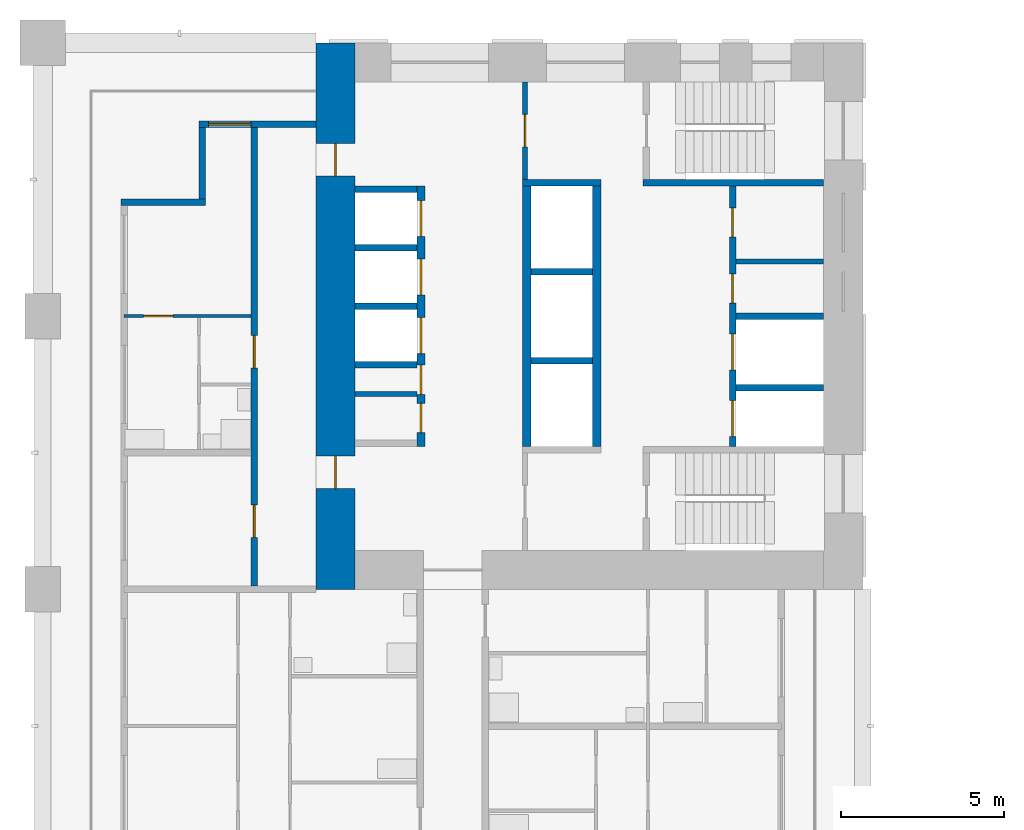
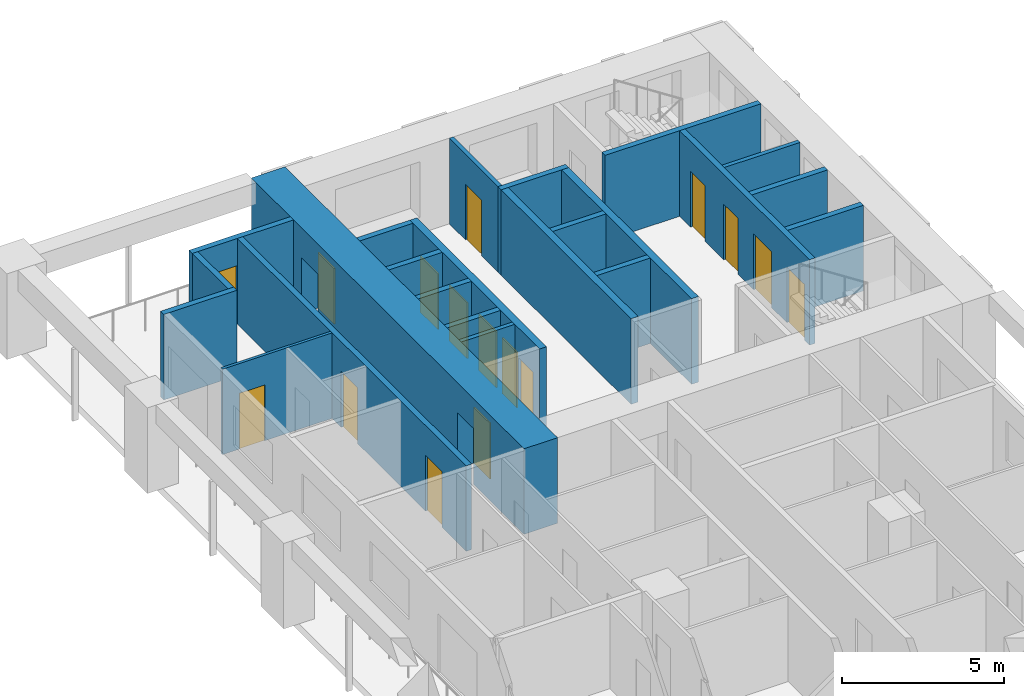
# One storey, part 9 of 19: 23 walls, 16 doors, 16 openings.
"""IFC4 building model written with IfcOpenShell, lengths in metres."""

from ifc_helpers import new_model, si_unit, direction, frame, frame_2d, origin, place, context, subcontext, project, spatial, rectangle, extrude, material, layer, layer_set, type_object, element, fill, save


model = new_model("IFC4")

# Units and contexts
model_context = context("Model", 3, precision=1e-05, world=origin(), true_north=direction((0.0, 1.0)))
body_context = subcontext(model_context, "Body", "Model", "MODEL_VIEW")
ifc_project = project(units=[si_unit("LENGTHUNIT", "METRE"), si_unit("AREAUNIT", "SQUARE_METRE"), si_unit("VOLUMEUNIT", "CUBIC_METRE"), si_unit("PLANEANGLEUNIT", "RADIAN"), si_unit("MASSUNIT", "GRAM", prefix="KILO")], contexts=[model_context])

# Site, building, storey
site_placement = place(None, origin())
site = spatial("IfcSite", under=ifc_project, at=site_placement, CompositionType="ELEMENT")
building_placement = place(site_placement, origin())
building = spatial("IfcBuilding", under=site, at=building_placement, Name="Vermilion Gate Residences", CompositionType="ELEMENT")
storey_placement = place(building_placement, frame((0.0, 0.0, 49.699951171875)))
storey = spatial("IfcBuildingStorey", under=building, at=storey_placement, Name="L11", CompositionType="ELEMENT", Elevation=49.699951171875)

# Walls
ifc_material_1 = material(Name="Masonry blockwork", Category="masonry")
ifc_layer_1 = layer(ifc_material_1, 0.14990234375)
ifc_layer_set_1 = layer_set([ifc_layer_1], Name="BLOCKWORK PARTITION 150 EI 120")
wall_type_1 = type_object("IfcWallType", Name="BLOCKWORK PARTITION 150 EI 120", PredefinedType="PARTITIONING", material=ifc_layer_set_1)
wall_1_placement = place(storey_placement, frame((9.60009765625, 48.007568359375, 0.0), z_axis=(0.0, 0.0, 1.0), x_axis=(1.0, 0.0, 0.0)))
element("IfcWall", 1, at=wall_1_placement, inside=storey, type_object=wall_type_1, Name="Core room partition B11-SR-P0", PredefinedType="PARTITIONING", context=body_context, shape_type="SweptSolid", body=[
    extrude(rectangle(XDim=1.89990234375, YDim=0.14990234375, at=frame_2d((0.949951171875, 0.0))), origin(), (0.0, 0.0, 1.0), 3.219970703125),
])
wall_2_placement = place(storey_placement, frame((21.300048828125, 52.074951171875, 0.0), z_axis=(0.0, 0.0, 1.0), x_axis=(1.0, 0.0, 0.0)))
element("IfcWall", 2, at=wall_2_placement, inside=storey, type_object=wall_type_1, Name="Core room partition B11-NR-P0", PredefinedType="PARTITIONING", context=body_context, shape_type="SweptSolid", body=[
    extrude(rectangle(XDim=2.699951171875, YDim=0.14990234375, at=frame_2d((1.35009765625, 0.0))), origin(), (0.0, 0.0, 1.0), 3.219970703125),
])

# Wall, opening, door
wall_3_placement = place(storey_placement, frame((14.824951171875, 57.60009765625, 0.0), z_axis=(0.0, 0.0, 1.0), x_axis=(0.0, -1.0, 0.0)))
wall_3 = element("IfcWall", 3, at=wall_3_placement, inside=storey, type_object=wall_type_1, Name="Core room partition B11-VW-S", PredefinedType="PARTITIONING", context=body_context, shape_type="SweptSolid", body=[
    extrude(rectangle(XDim=3.0, YDim=0.14990234375, at=frame_2d((1.5, 0.0))), origin(), (0.0, 0.0, 1.0), 3.219970703125),
])
opening_1_placement = place(wall_3_placement, frame((1.0, 0.0, 0.0)))
opening_1 = element("IfcOpeningElement", 4, at=opening_1_placement, cuts=wall_3, Name="Opening DK11113", PredefinedType="OPENING", context=body_context, shape_type="SweptSolid", body=[
    extrude(rectangle(XDim=1.0, YDim=2.10009765625, at=frame_2d((0.5, 1.050048828125))), frame((0.0, 0.0849609375, 0.0), z_axis=(0.0, -1.0, 0.0), x_axis=(1.0, 0.0, 0.0)), (0.0, 0.0, 1.0), 0.169921875),
])
ifc_material_2 = material(Name="Steel", Category="steel")
door_type_1 = type_object("IfcDoorType", Name="FIRE DOOR FD60 1000 X 2100", OperationType="SINGLE_SWING_LEFT", PredefinedType="DOOR", material=ifc_material_2)
door_1_placement = place(opening_1_placement, frame((1.0, 0.0, 0.0), z_axis=(0.0, 0.0, 1.0), x_axis=(-1.0, 0.0, 0.0)))
door_1 = element("IfcDoor", 5, at=door_1_placement, inside=storey, type_object=door_type_1, Name="Stair vestibule door B11", OperationType="SINGLE_SWING_RIGHT", OverallHeight=2.10009765625, OverallWidth=1.0, PredefinedType="DOOR", context=body_context, shape_type="SweptSolid", body=[
    extrude(rectangle(XDim=1.0, YDim=2.10009765625, at=frame_2d((0.5, 1.050048828125))), frame((0.0, 0.02490234375, 0.0), z_axis=(0.0, -1.0, 0.0), x_axis=(1.0, 0.0, 0.0)), (0.0, 0.0, 1.0), 0.050048828125),
])
fill(opening_1, door_1)

ifc_material_3 = material(Name="Insulated steel stud wall with terracotta rainscreen", Category="masonry")
ifc_layer_2 = layer(ifc_material_3, 0.199951171875)
ifc_layer_set_2 = layer_set([ifc_layer_2], Name="EXTERNAL WALL 200 TERRACOTTA RAINSCREEN")
wall_type_2 = type_object("IfcWallType", Name="EXTERNAL WALL 200 TERRACOTTA RAINSCREEN", PredefinedType="SOLIDWALL", material=ifc_layer_set_2)
wall_4_placement = place(storey_placement, frame((8.39990234375, 56.300048828125, 0.0), z_axis=(0.0, 0.0, 1.0), x_axis=(-1.0, 0.0, 0.0)))
wall_4 = element("IfcWall", 6, at=wall_4_placement, inside=storey, type_object=wall_type_2, Name="External wall", PredefinedType="SOLIDWALL", context=body_context, shape_type="SweptSolid", body=[
    extrude(rectangle(XDim=3.599853515625, YDim=0.199951171875, at=frame_2d((1.7998046875, 0.0))), origin(), (0.0, 0.0, 1.0), 3.219970703125),
])
opening_2_placement = place(wall_4_placement, frame((2.0, 0.0, 0.0)))
opening_2 = element("IfcOpeningElement", 7, at=opening_2_placement, cuts=wall_4, Name="Opening DE11001", PredefinedType="OPENING", context=body_context, shape_type="SweptSolid", body=[
    extrude(rectangle(XDim=1.300048828125, YDim=2.199951171875, at=frame_2d((0.64990234375, 1.10009765625))), frame((0.0, 0.10986328125, 0.0), z_axis=(0.0, -1.0, 0.0), x_axis=(1.0, 0.0, 0.0)), (0.0, 0.0, 1.0), 0.219970703125),
])
ifc_material_4 = material(Name="Aluminium and clear glass", Category="aluminium")
door_type_2 = type_object("IfcDoorType", Name="SLIDING GLAZED DOOR 1300 X 2200", OperationType="DOUBLE_DOOR_SLIDING", PredefinedType="DOOR", material=ifc_material_4)
door_2_placement = place(opening_2_placement, origin())
door_2 = element("IfcDoor", 8, at=door_2_placement, inside=storey, type_object=door_type_2, Name="Loggia sliding door", OperationType="DOUBLE_DOOR_SLIDING", OverallHeight=2.199951171875, OverallWidth=1.300048828125, PredefinedType="DOOR", context=body_context, shape_type="SweptSolid", body=[
    extrude(rectangle(XDim=1.300048828125, YDim=2.199951171875, at=frame_2d((0.64990234375, 1.10009765625))), frame((0.0, 0.02490234375, 0.0), z_axis=(0.0, -1.0, 0.0), x_axis=(1.0, 0.0, 0.0)), (0.0, 0.0, 1.0), 0.050048828125),
])
fill(opening_2, door_2)

# Walls
wall_5_placement = place(storey_placement, frame((4.89990234375, 56.199951171875, 0.0), z_axis=(0.0, 0.0, 1.0), x_axis=(0.0, -1.0, 0.0)))
element("IfcWall", 9, at=wall_5_placement, inside=storey, type_object=wall_type_2, Name="External wall", PredefinedType="SOLIDWALL", context=body_context, shape_type="SweptSolid", body=[
    extrude(rectangle(XDim=2.199951171875, YDim=0.199951171875, at=frame_2d((1.10009765625, 0.0))), origin(), (0.0, 0.0, 1.0), 3.219970703125),
])
wall_6_placement = place(storey_placement, frame((5.0, 53.89990234375, 0.0), z_axis=(0.0, 0.0, 1.0), x_axis=(-1.0, 0.0, 0.0)))
element("IfcWall", 10, at=wall_6_placement, inside=storey, type_object=wall_type_2, Name="External wall", PredefinedType="SOLIDWALL", context=body_context, shape_type="SweptSolid", body=[
    extrude(rectangle(XDim=2.60009765625, YDim=0.199951171875, at=frame_2d((1.300048828125, 0.0))), origin(), (0.0, 0.0, 1.0), 3.219970703125),
])

# Wall, opening, door
ifc_material_5 = material(Name="Plasterboard on steel studs", Category="steel")
ifc_layer_3 = layer(ifc_material_5, 0.10009765625)
ifc_layer_set_3 = layer_set([ifc_layer_3], Name="PARTITION 100")
wall_type_3 = type_object("IfcWallType", Name="PARTITION 100", PredefinedType="PARTITIONING", material=ifc_layer_set_3)
wall_7_placement = place(storey_placement, frame((2.5, 50.39990234375, 0.0), z_axis=(0.0, 0.0, 1.0), x_axis=(1.0, 0.0, 0.0)))
wall_7 = element("IfcWall", 11, at=wall_7_placement, inside=storey, type_object=wall_type_3, Name="Partition", PredefinedType="PARTITIONING", context=body_context, shape_type="SweptSolid", body=[
    extrude(rectangle(XDim=3.89990234375, YDim=0.10009765625, at=frame_2d((1.949951171875, 0.0))), origin(), (0.0, 0.0, 1.0), 3.219970703125),
])
opening_3_placement = place(wall_7_placement, frame((0.60009765625, 0.0, 0.0)))
opening_3 = element("IfcOpeningElement", 12, at=opening_3_placement, cuts=wall_7, Name="Opening DA10042", PredefinedType="OPENING", context=body_context, shape_type="SweptSolid", body=[
    extrude(rectangle(XDim=0.89990234375, YDim=2.10009765625, at=frame_2d((0.449951171875, 1.050048828125))), frame((0.0, 0.06005859375, 0.0), z_axis=(0.0, -1.0, 0.0), x_axis=(1.0, 0.0, 0.0)), (0.0, 0.0, 1.0), 0.1201171875),
])
ifc_material_6 = material(Name="Timber", Category="wood")
door_type_3 = type_object("IfcDoorType", Name="INTERIOR DOOR 900 X 2100", OperationType="SINGLE_SWING_LEFT", PredefinedType="DOOR", material=ifc_material_6)
door_3_placement = place(opening_3_placement, frame((0.89990234375, 0.0, 0.0), z_axis=(0.0, 0.0, 1.0), x_axis=(-1.0, 0.0, 0.0)))
door_3 = element("IfcDoor", 13, at=door_3_placement, inside=storey, type_object=door_type_3, Name="Interior door", OperationType="SINGLE_SWING_RIGHT", OverallHeight=2.10009765625, OverallWidth=0.89990234375, PredefinedType="DOOR", context=body_context, shape_type="SweptSolid", body=[
    extrude(rectangle(XDim=0.89990234375, YDim=2.10009765625, at=frame_2d((0.449951171875, 1.050048828125))), frame((0.0, 0.02490234375, 0.0), z_axis=(0.0, -1.0, 0.0), x_axis=(1.0, 0.0, 0.0)), (0.0, 0.0, 1.0), 0.050048828125),
])
fill(opening_3, door_3)

# Wall, openings, doors
ifc_material_7 = material(Name="Fire-rated plasterboard on steel studs", Category="steel")
ifc_layer_4 = layer(ifc_material_7, 0.199951171875)
ifc_layer_set_4 = layer_set([ifc_layer_4], Name="PARTY WALL 200 EI 120")
wall_type_4 = type_object("IfcWallType", Name="PARTY WALL 200 EI 120", PredefinedType="PARTITIONING", material=ifc_layer_set_4)
wall_8_placement = place(storey_placement, frame((6.5, 42.10009765625, 0.0), z_axis=(0.0, 0.0, 1.0), x_axis=(0.0, 1.0, 0.0)))
wall_8 = element("IfcWall", 14, at=wall_8_placement, inside=storey, type_object=wall_type_4, Name="Party and corridor wall", PredefinedType="PARTITIONING", context=body_context, shape_type="SweptSolid", body=[
    extrude(rectangle(XDim=14.199951171875, YDim=0.199951171875, at=frame_2d((7.10009765625, 0.0))), origin(), (0.0, 0.0, 1.0), 3.219970703125),
])
opening_4_placement = place(wall_8_placement, frame((1.5, 0.0, 0.0)))
opening_4 = element("IfcOpeningElement", 15, at=opening_4_placement, cuts=wall_8, Name="Opening DA10049", PredefinedType="OPENING", context=body_context, shape_type="SweptSolid", body=[
    extrude(rectangle(XDim=1.0, YDim=2.10009765625, at=frame_2d((0.5, 1.050048828125))), frame((0.0, 0.10986328125, 0.0), z_axis=(0.0, -1.0, 0.0), x_axis=(1.0, 0.0, 0.0)), (0.0, 0.0, 1.0), 0.219970703125),
])
opening_5_placement = place(wall_8_placement, frame((6.699951171875, 0.0, 0.0)))
opening_5 = element("IfcOpeningElement", 16, at=opening_5_placement, cuts=wall_8, Name="Opening DA10050", PredefinedType="OPENING", context=body_context, shape_type="SweptSolid", body=[
    extrude(rectangle(XDim=1.0, YDim=2.10009765625, at=frame_2d((0.5, 1.050048828125))), frame((0.0, 0.10986328125, 0.0), z_axis=(0.0, -1.0, 0.0), x_axis=(1.0, 0.0, 0.0)), (0.0, 0.0, 1.0), 0.219970703125),
])
ifc_material_8 = material(Name="Steel", Category="steel")
door_type_4 = type_object("IfcDoorType", Name="ENTRANCE DOOR 1000 X 2100 FD30", OperationType="SINGLE_SWING_LEFT", PredefinedType="DOOR", material=ifc_material_8)
door_4_placement = place(opening_4_placement, origin())
door_4 = element("IfcDoor", 17, at=door_4_placement, inside=storey, type_object=door_type_4, Name="Entrance door", OperationType="SINGLE_SWING_LEFT", OverallHeight=2.10009765625, OverallWidth=1.0, PredefinedType="DOOR", context=body_context, shape_type="SweptSolid", body=[
    extrude(rectangle(XDim=1.0, YDim=2.10009765625, at=frame_2d((0.5, 1.050048828125))), frame((0.0, 0.02490234375, 0.0), z_axis=(0.0, -1.0, 0.0), x_axis=(1.0, 0.0, 0.0)), (0.0, 0.0, 1.0), 0.050048828125),
])
fill(opening_4, door_4)
door_5_placement = place(opening_5_placement, origin())
door_5 = element("IfcDoor", 18, at=door_5_placement, inside=storey, type_object=door_type_4, Name="Entrance door", OperationType="SINGLE_SWING_LEFT", OverallHeight=2.10009765625, OverallWidth=1.0, PredefinedType="DOOR", context=body_context, shape_type="SweptSolid", body=[
    extrude(rectangle(XDim=1.0, YDim=2.10009765625, at=frame_2d((0.5, 1.050048828125))), frame((0.0, 0.02490234375, 0.0), z_axis=(0.0, -1.0, 0.0), x_axis=(1.0, 0.0, 0.0)), (0.0, 0.0, 1.0), 0.050048828125),
])
fill(opening_5, door_5)

# Walls
ifc_material_9 = material(Name="Concrete C60", Category="concrete")
ifc_layer_5 = layer(ifc_material_9, 0.199951171875)
ifc_layer_set_5 = layer_set([ifc_layer_5], Name="RC CORE INTERNAL WALL 200 C60")
wall_type_5 = type_object("IfcWallType", Name="RC CORE INTERNAL WALL 200 C60", PredefinedType="SHEAR", material=ifc_layer_set_5)
for number, where, z_axis, x_axis, name in (
    (19, (9.60009765625, 54.300048828125, 0.0), (0.0, 0.0, 1.0), (1.0, 0.0, 0.0), "Core internal wall B11-LR-D0"),
    (20, (9.60009765625, 52.5, 0.0), (0.0, 0.0, 1.0), (1.0, 0.0, 0.0), "Core internal wall B11-LR-D1"),
    (21, (9.60009765625, 50.699951171875, 0.0), (0.0, 0.0, 1.0), (1.0, 0.0, 0.0), "Core internal wall B11-LR-D2"),
    (22, (9.60009765625, 48.89990234375, 0.0), (0.0, 0.0, 1.0), (1.0, 0.0, 0.0), "Core internal wall B11-LR-D3"),
    (23, (15.0, 51.7666015625, 0.0), (0.0, 0.0, 1.0), (1.0, 0.0, 0.0), "Core internal wall B11-HR-D1"),
    (24, (15.0, 49.033447265625, 0.0), (0.0, 0.0, 1.0), (1.0, 0.0, 0.0), "Core internal wall B11-HR-D2"),
):
    element("IfcWall", number, at=place(storey_placement, frame(where, z_axis=z_axis, x_axis=x_axis)), inside=storey, type_object=wall_type_5, Name=name, PredefinedType="SHEAR", context=body_context, shape_type="SweptSolid", body=[
        extrude(rectangle(XDim=1.89990234375, YDim=0.199951171875, at=frame_2d((0.949951171875, 0.0))), origin(), (0.0, 0.0, 1.0), 3.219970703125),
    ])
for number, where, z_axis, x_axis, name in (
    (25, (21.300048828125, 50.39990234375, 0.0), (0.0, 0.0, 1.0), (1.0, 0.0, 0.0), "Core internal wall B11-FF-D0"),
    (26, (21.300048828125, 48.199951171875, 0.0), (0.0, 0.0, 1.0), (1.0, 0.0, 0.0), "Core internal wall B11-FF-D1"),
):
    element("IfcWall", number, at=place(storey_placement, frame(where, z_axis=z_axis, x_axis=x_axis)), inside=storey, type_object=wall_type_5, Name=name, PredefinedType="SHEAR", context=body_context, shape_type="SweptSolid", body=[
        extrude(rectangle(XDim=2.699951171875, YDim=0.199951171875, at=frame_2d((1.35009765625, 0.0))), origin(), (0.0, 0.0, 1.0), 3.219970703125),
    ])

# Wall, openings, doors
wall_9_placement = place(storey_placement, frame((21.199951171875, 54.39990234375, 0.0), z_axis=(0.0, 0.0, 1.0), x_axis=(0.0, -1.0, 0.0)))
wall_9 = element("IfcWall", 27, at=wall_9_placement, inside=storey, type_object=wall_type_5, Name="Core internal wall B11-FF-F", PredefinedType="SHEAR", context=body_context, shape_type="SweptSolid", body=[
    extrude(rectangle(XDim=8.0, YDim=0.199951171875, at=frame_2d((4.0, 0.0))), origin(), (0.0, 0.0, 1.0), 3.219970703125),
])
opening_6_placement = place(wall_9_placement, frame((0.675048828125, 0.0, 0.0)))
opening_6 = element("IfcOpeningElement", 28, at=opening_6_placement, cuts=wall_9, Name="Opening DK11109", PredefinedType="OPENING", context=body_context, shape_type="SweptSolid", body=[
    extrude(rectangle(XDim=0.89990234375, YDim=2.10009765625, at=frame_2d((0.449951171875, 1.050048828125))), frame((0.0, 0.10986328125, 0.0), z_axis=(0.0, -1.0, 0.0), x_axis=(1.0, 0.0, 0.0)), (0.0, 0.0, 1.0), 0.219970703125),
])
opening_7_placement = place(wall_9_placement, frame((2.699951171875, 0.0, 0.0)))
opening_7 = element("IfcOpeningElement", 29, at=opening_7_placement, cuts=wall_9, Name="Opening DK11110", PredefinedType="OPENING", context=body_context, shape_type="SweptSolid", body=[
    extrude(rectangle(XDim=0.89990234375, YDim=2.10009765625, at=frame_2d((0.449951171875, 1.050048828125))), frame((0.0, 0.10986328125, 0.0), z_axis=(0.0, -1.0, 0.0), x_axis=(1.0, 0.0, 0.0)), (0.0, 0.0, 1.0), 0.219970703125),
])
opening_8_placement = place(wall_9_placement, frame((4.550048828125, 0.0, 0.0)))
opening_8 = element("IfcOpeningElement", 30, at=opening_8_placement, cuts=wall_9, Name="Opening LD", PredefinedType="OPENING", context=body_context, shape_type="SweptSolid", body=[
    extrude(rectangle(XDim=1.10009765625, YDim=2.10009765625, at=frame_2d((0.550048828125, 1.050048828125))), frame((0.0, 0.10986328125, 0.0), z_axis=(0.0, -1.0, 0.0), x_axis=(1.0, 0.0, 0.0)), (0.0, 0.0, 1.0), 0.219970703125),
])
opening_9_placement = place(wall_9_placement, frame((6.60009765625, 0.0, 0.0)))
opening_9 = element("IfcOpeningElement", 31, at=opening_9_placement, cuts=wall_9, Name="Opening LD", PredefinedType="OPENING", context=body_context, shape_type="SweptSolid", body=[
    extrude(rectangle(XDim=1.10009765625, YDim=2.10009765625, at=frame_2d((0.550048828125, 1.050048828125))), frame((0.0, 0.10986328125, 0.0), z_axis=(0.0, -1.0, 0.0), x_axis=(1.0, 0.0, 0.0)), (0.0, 0.0, 1.0), 0.219970703125),
])
ifc_material_10 = material(Name="Stainless steel", Category="steel")
door_type_5 = type_object("IfcDoorType", Name="LIFT LANDING DOOR E60 1100 X 2100", OperationType="DOUBLE_DOOR_SLIDING", PredefinedType="DOOR", material=ifc_material_10)
door_6_placement = place(opening_8_placement, origin())
door_6 = element("IfcDoor", 32, at=door_6_placement, inside=storey, type_object=door_type_5, Name="Lift landing door LFB1", OperationType="DOUBLE_DOOR_SLIDING", OverallHeight=2.10009765625, OverallWidth=1.10009765625, PredefinedType="DOOR", context=body_context, shape_type="SweptSolid", body=[
    extrude(rectangle(XDim=1.10009765625, YDim=2.10009765625, at=frame_2d((0.550048828125, 1.050048828125))), frame((0.0, 0.02490234375, 0.0), z_axis=(0.0, -1.0, 0.0), x_axis=(1.0, 0.0, 0.0)), (0.0, 0.0, 1.0), 0.050048828125),
])
fill(opening_8, door_6)
door_7_placement = place(opening_9_placement, origin())
door_7 = element("IfcDoor", 33, at=door_7_placement, inside=storey, type_object=door_type_5, Name="Lift landing door LCB1", OperationType="DOUBLE_DOOR_SLIDING", OverallHeight=2.10009765625, OverallWidth=1.10009765625, PredefinedType="DOOR", context=body_context, shape_type="SweptSolid", body=[
    extrude(rectangle(XDim=1.10009765625, YDim=2.10009765625, at=frame_2d((0.550048828125, 1.050048828125))), frame((0.0, 0.02490234375, 0.0), z_axis=(0.0, -1.0, 0.0), x_axis=(1.0, 0.0, 0.0)), (0.0, 0.0, 1.0), 0.050048828125),
])
fill(opening_9, door_7)
ifc_material_11 = material(Name="Steel", Category="steel")
door_type_6 = type_object("IfcDoorType", Name="SERVICE ROOM DOOR FD60 900 X 2100", OperationType="SINGLE_SWING_LEFT", PredefinedType="DOOR", material=ifc_material_11)
door_8_placement = place(opening_6_placement, origin())
door_8 = element("IfcDoor", 34, at=door_8_placement, inside=storey, type_object=door_type_6, Name="Parcel room B11", OperationType="SINGLE_SWING_RIGHT", OverallHeight=2.10009765625, OverallWidth=0.89990234375, PredefinedType="DOOR", context=body_context, shape_type="SweptSolid", body=[
    extrude(rectangle(XDim=0.89990234375, YDim=2.10009765625, at=frame_2d((0.449951171875, 1.050048828125))), frame((0.0, 0.02490234375, 0.0), z_axis=(0.0, -1.0, 0.0), x_axis=(1.0, 0.0, 0.0)), (0.0, 0.0, 1.0), 0.050048828125),
])
fill(opening_6, door_8)
door_9_placement = place(opening_7_placement, frame((0.89990234375, 0.0, 0.0), z_axis=(0.0, 0.0, 1.0), x_axis=(-1.0, 0.0, 0.0)))
door_9 = element("IfcDoor", 35, at=door_9_placement, inside=storey, type_object=door_type_6, Name="Electrical room B11", OperationType="SINGLE_SWING_RIGHT", OverallHeight=2.10009765625, OverallWidth=0.89990234375, PredefinedType="DOOR", context=body_context, shape_type="SweptSolid", body=[
    extrude(rectangle(XDim=0.89990234375, YDim=2.10009765625, at=frame_2d((0.449951171875, 1.050048828125))), frame((0.0, 0.02490234375, 0.0), z_axis=(0.0, -1.0, 0.0), x_axis=(1.0, 0.0, 0.0)), (0.0, 0.0, 1.0), 0.050048828125),
])
fill(opening_7, door_9)

# Walls
wall_10_placement = place(storey_placement, frame((14.75, 54.5, 0.0), z_axis=(0.0, 0.0, 1.0), x_axis=(1.0, 0.0, 0.0)))
element("IfcWall", 36, at=wall_10_placement, inside=storey, type_object=wall_type_5, Name="Core internal wall B11-WDIV1", PredefinedType="SHEAR", context=body_context, shape_type="SweptSolid", body=[
    extrude(rectangle(XDim=2.39990234375, YDim=0.199951171875, at=frame_2d((1.199951171875, 0.0))), origin(), (0.0, 0.0, 1.0), 3.219970703125),
])
wall_11_placement = place(storey_placement, frame((18.449951171875, 54.5, 0.0), z_axis=(0.0, 0.0, 1.0), x_axis=(1.0, 0.0, 0.0)))
element("IfcWall", 37, at=wall_11_placement, inside=storey, type_object=wall_type_5, Name="Core internal wall B11-WDIV2", PredefinedType="SHEAR", context=body_context, shape_type="SweptSolid", body=[
    extrude(rectangle(XDim=5.550048828125, YDim=0.199951171875, at=frame_2d((2.77490234375, 0.0))), origin(), (0.0, 0.0, 1.0), 3.219970703125),
])

# Wall, openings, doors
ifc_material_12 = material(Name="Concrete C80", Category="concrete")
ifc_layer_6 = layer(ifc_material_12, 1.199951171875)
ifc_layer_set_6 = layer_set([ifc_layer_6], Name="RC CORE WALL 1200 C80")
wall_type_6 = type_object("IfcWallType", Name="RC CORE WALL 1200 C80", PredefinedType="SHEAR", material=ifc_layer_set_6)
wall_12_placement = place(storey_placement, frame((9.0, 58.800048828125, 0.0), z_axis=(0.0, 0.0, 1.0), x_axis=(0.0, -1.0, 0.0)))
wall_12 = element("IfcWall", 38, at=wall_12_placement, inside=storey, type_object=wall_type_6, Name="Core wall B11-OUT-B0", PredefinedType="SHEAR", context=body_context, shape_type="SweptSolid", body=[
    extrude(rectangle(XDim=16.800048828125, YDim=1.199951171875, at=frame_2d((8.39990234375, 0.0))), origin(), (0.0, 0.0, 1.0), 3.219970703125),
])
opening_10_placement = place(wall_12_placement, frame((3.10009765625, 0.0, 0.0)))
opening_10 = element("IfcOpeningElement", 39, at=opening_10_placement, cuts=wall_12, Name="Opening DK11101", PredefinedType="OPENING", context=body_context, shape_type="SweptSolid", body=[
    extrude(rectangle(XDim=1.0, YDim=2.10009765625, at=frame_2d((0.5, 1.050048828125))), frame((0.0, 0.60986328125, 0.0), z_axis=(0.0, -1.0, 0.0), x_axis=(1.0, 0.0, 0.0)), (0.0, 0.0, 1.0), 1.219970703125),
])
opening_11_placement = place(wall_12_placement, frame((12.699951171875, 0.0, 0.0)))
opening_11 = element("IfcOpeningElement", 40, at=opening_11_placement, cuts=wall_12, Name="Opening DK11102", PredefinedType="OPENING", context=body_context, shape_type="SweptSolid", body=[
    extrude(rectangle(XDim=1.0, YDim=2.10009765625, at=frame_2d((0.5, 1.050048828125))), frame((0.0, 0.60986328125, 0.0), z_axis=(0.0, -1.0, 0.0), x_axis=(1.0, 0.0, 0.0)), (0.0, 0.0, 1.0), 1.219970703125),
])
door_10_placement = place(opening_10_placement, origin())
door_10 = element("IfcDoor", 41, at=door_10_placement, inside=storey, type_object=door_type_1, Name="Core lobby side door B11", OperationType="SINGLE_SWING_RIGHT", OverallHeight=2.10009765625, OverallWidth=1.0, PredefinedType="DOOR", context=body_context, shape_type="SweptSolid", body=[
    extrude(rectangle(XDim=1.0, YDim=2.10009765625, at=frame_2d((0.5, 1.050048828125))), frame((0.0, 0.02490234375, 0.0), z_axis=(0.0, -1.0, 0.0), x_axis=(1.0, 0.0, 0.0)), (0.0, 0.0, 1.0), 0.050048828125),
])
fill(opening_10, door_10)
door_11_placement = place(opening_11_placement, origin())
door_11 = element("IfcDoor", 42, at=door_11_placement, inside=storey, type_object=door_type_1, Name="Core lobby side door B11", OperationType="SINGLE_SWING_LEFT", OverallHeight=2.10009765625, OverallWidth=1.0, PredefinedType="DOOR", context=body_context, shape_type="SweptSolid", body=[
    extrude(rectangle(XDim=1.0, YDim=2.10009765625, at=frame_2d((0.5, 1.050048828125))), frame((0.0, 0.02490234375, 0.0), z_axis=(0.0, -1.0, 0.0), x_axis=(1.0, 0.0, 0.0)), (0.0, 0.0, 1.0), 0.050048828125),
])
fill(opening_11, door_11)

ifc_material_13 = material(Name="Concrete C60", Category="concrete")
ifc_layer_7 = layer(ifc_material_13, 0.25)
ifc_layer_set_7 = layer_set([ifc_layer_7], Name="RC LIFT SHAFT WALL 250 C60")
wall_type_7 = type_object("IfcWallType", Name="RC LIFT SHAFT WALL 250 C60", PredefinedType="SHEAR", material=ifc_layer_set_7)
wall_13_placement = place(storey_placement, frame((11.625, 54.39990234375, 0.0), z_axis=(0.0, 0.0, 1.0), x_axis=(0.0, -1.0, 0.0)))
wall_13 = element("IfcWall", 43, at=wall_13_placement, inside=storey, type_object=wall_type_7, Name="Lift shaft wall B11-LR-F", PredefinedType="SHEAR", context=body_context, shape_type="SweptSolid", body=[
    extrude(rectangle(XDim=8.0, YDim=0.25, at=frame_2d((4.0, 0.0))), origin(), (0.0, 0.0, 1.0), 3.219970703125),
])
opening_12_placement = place(wall_13_placement, frame((0.449951171875, 0.0, 0.0)))
opening_12 = element("IfcOpeningElement", 44, at=opening_12_placement, cuts=wall_13, Name="Opening LD", PredefinedType="OPENING", context=body_context, shape_type="SweptSolid", body=[
    extrude(rectangle(XDim=1.10009765625, YDim=2.10009765625, at=frame_2d((0.550048828125, 1.050048828125))), frame((0.0, 0.135009765625, 0.0), z_axis=(0.0, -1.0, 0.0), x_axis=(1.0, 0.0, 0.0)), (0.0, 0.0, 1.0), 0.27001953125),
])
opening_13_placement = place(wall_13_placement, frame((2.25, 0.0, 0.0)))
opening_13 = element("IfcOpeningElement", 45, at=opening_13_placement, cuts=wall_13, Name="Opening LD", PredefinedType="OPENING", context=body_context, shape_type="SweptSolid", body=[
    extrude(rectangle(XDim=1.10009765625, YDim=2.10009765625, at=frame_2d((0.550048828125, 1.050048828125))), frame((0.0, 0.135009765625, 0.0), z_axis=(0.0, -1.0, 0.0), x_axis=(1.0, 0.0, 0.0)), (0.0, 0.0, 1.0), 0.27001953125),
])
opening_14_placement = place(wall_13_placement, frame((4.050048828125, 0.0, 0.0)))
opening_14 = element("IfcOpeningElement", 46, at=opening_14_placement, cuts=wall_13, Name="Opening LD", PredefinedType="OPENING", context=body_context, shape_type="SweptSolid", body=[
    extrude(rectangle(XDim=1.10009765625, YDim=2.10009765625, at=frame_2d((0.550048828125, 1.050048828125))), frame((0.0, 0.135009765625, 0.0), z_axis=(0.0, -1.0, 0.0), x_axis=(1.0, 0.0, 0.0)), (0.0, 0.0, 1.0), 0.27001953125),
])
opening_15_placement = place(wall_13_placement, frame((5.5087890625, 0.0, 0.0)))
opening_15 = element("IfcOpeningElement", 47, at=opening_15_placement, cuts=wall_13, Name="Opening DK11107", PredefinedType="OPENING", context=body_context, shape_type="SweptSolid", body=[
    extrude(rectangle(XDim=0.89990234375, YDim=2.10009765625, at=frame_2d((0.449951171875, 1.050048828125))), frame((0.0, 0.135009765625, 0.0), z_axis=(0.0, -1.0, 0.0), x_axis=(1.0, 0.0, 0.0)), (0.0, 0.0, 1.0), 0.27001953125),
])
opening_16_placement = place(wall_13_placement, frame((6.683837890625, 0.0, 0.0)))
opening_16 = element("IfcOpeningElement", 48, at=opening_16_placement, cuts=wall_13, Name="Opening DK11108", PredefinedType="OPENING", context=body_context, shape_type="SweptSolid", body=[
    extrude(rectangle(XDim=0.89990234375, YDim=2.10009765625, at=frame_2d((0.449951171875, 1.050048828125))), frame((0.0, 0.135009765625, 0.0), z_axis=(0.0, -1.0, 0.0), x_axis=(1.0, 0.0, 0.0)), (0.0, 0.0, 1.0), 0.27001953125),
])
door_12_placement = place(opening_12_placement, origin())
door_12 = element("IfcDoor", 49, at=door_12_placement, inside=storey, type_object=door_type_5, Name="Lift landing door LRB1", OperationType="DOUBLE_DOOR_SLIDING", OverallHeight=2.10009765625, OverallWidth=1.10009765625, PredefinedType="DOOR", context=body_context, shape_type="SweptSolid", body=[
    extrude(rectangle(XDim=1.10009765625, YDim=2.10009765625, at=frame_2d((0.550048828125, 1.050048828125))), frame((0.0, 0.02490234375, 0.0), z_axis=(0.0, -1.0, 0.0), x_axis=(1.0, 0.0, 0.0)), (0.0, 0.0, 1.0), 0.050048828125),
])
fill(opening_12, door_12)
door_13_placement = place(opening_13_placement, origin())
door_13 = element("IfcDoor", 50, at=door_13_placement, inside=storey, type_object=door_type_5, Name="Lift landing door LRB2", OperationType="DOUBLE_DOOR_SLIDING", OverallHeight=2.10009765625, OverallWidth=1.10009765625, PredefinedType="DOOR", context=body_context, shape_type="SweptSolid", body=[
    extrude(rectangle(XDim=1.10009765625, YDim=2.10009765625, at=frame_2d((0.550048828125, 1.050048828125))), frame((0.0, 0.02490234375, 0.0), z_axis=(0.0, -1.0, 0.0), x_axis=(1.0, 0.0, 0.0)), (0.0, 0.0, 1.0), 0.050048828125),
])
fill(opening_13, door_13)
door_14_placement = place(opening_14_placement, origin())
door_14 = element("IfcDoor", 51, at=door_14_placement, inside=storey, type_object=door_type_5, Name="Lift landing door LRB3", OperationType="DOUBLE_DOOR_SLIDING", OverallHeight=2.10009765625, OverallWidth=1.10009765625, PredefinedType="DOOR", context=body_context, shape_type="SweptSolid", body=[
    extrude(rectangle(XDim=1.10009765625, YDim=2.10009765625, at=frame_2d((0.550048828125, 1.050048828125))), frame((0.0, 0.02490234375, 0.0), z_axis=(0.0, -1.0, 0.0), x_axis=(1.0, 0.0, 0.0)), (0.0, 0.0, 1.0), 0.050048828125),
])
fill(opening_14, door_14)
door_15_placement = place(opening_15_placement, origin())
door_15 = element("IfcDoor", 52, at=door_15_placement, inside=storey, type_object=door_type_6, Name="Fire equipment store B11", OperationType="SINGLE_SWING_LEFT", OverallHeight=2.10009765625, OverallWidth=0.89990234375, PredefinedType="DOOR", context=body_context, shape_type="SweptSolid", body=[
    extrude(rectangle(XDim=0.89990234375, YDim=2.10009765625, at=frame_2d((0.449951171875, 1.050048828125))), frame((0.0, 0.02490234375, 0.0), z_axis=(0.0, -1.0, 0.0), x_axis=(1.0, 0.0, 0.0)), (0.0, 0.0, 1.0), 0.050048828125),
])
fill(opening_15, door_15)
door_16_placement = place(opening_16_placement, frame((0.89990234375, 0.0, 0.0), z_axis=(0.0, 0.0, 1.0), x_axis=(-1.0, 0.0, 0.0)))
door_16 = element("IfcDoor", 53, at=door_16_placement, inside=storey, type_object=door_type_6, Name="Mail room B11", OperationType="SINGLE_SWING_RIGHT", OverallHeight=2.10009765625, OverallWidth=0.89990234375, PredefinedType="DOOR", context=body_context, shape_type="SweptSolid", body=[
    extrude(rectangle(XDim=0.89990234375, YDim=2.10009765625, at=frame_2d((0.449951171875, 1.050048828125))), frame((0.0, 0.02490234375, 0.0), z_axis=(0.0, -1.0, 0.0), x_axis=(1.0, 0.0, 0.0)), (0.0, 0.0, 1.0), 0.050048828125),
])
fill(opening_16, door_16)

# Walls
for number, where, z_axis, x_axis, name in (
    (54, (14.875, 54.39990234375, 0.0), (0.0, 0.0, 1.0), (0.0, -1.0, 0.0), "Lift shaft wall B11-HR-F"),
    (55, (17.02490234375, 54.39990234375, 0.0), (0.0, 0.0, 1.0), (0.0, -1.0, 0.0), "Lift shaft wall B11-HR-B"),
):
    element("IfcWall", number, at=place(storey_placement, frame(where, z_axis=z_axis, x_axis=x_axis)), inside=storey, type_object=wall_type_7, Name=name, PredefinedType="SHEAR", context=body_context, shape_type="SweptSolid", body=[
        extrude(rectangle(XDim=8.0, YDim=0.25, at=frame_2d((4.0, 0.0))), origin(), (0.0, 0.0, 1.0), 3.219970703125),
    ])

save(model, "model.ifc")
